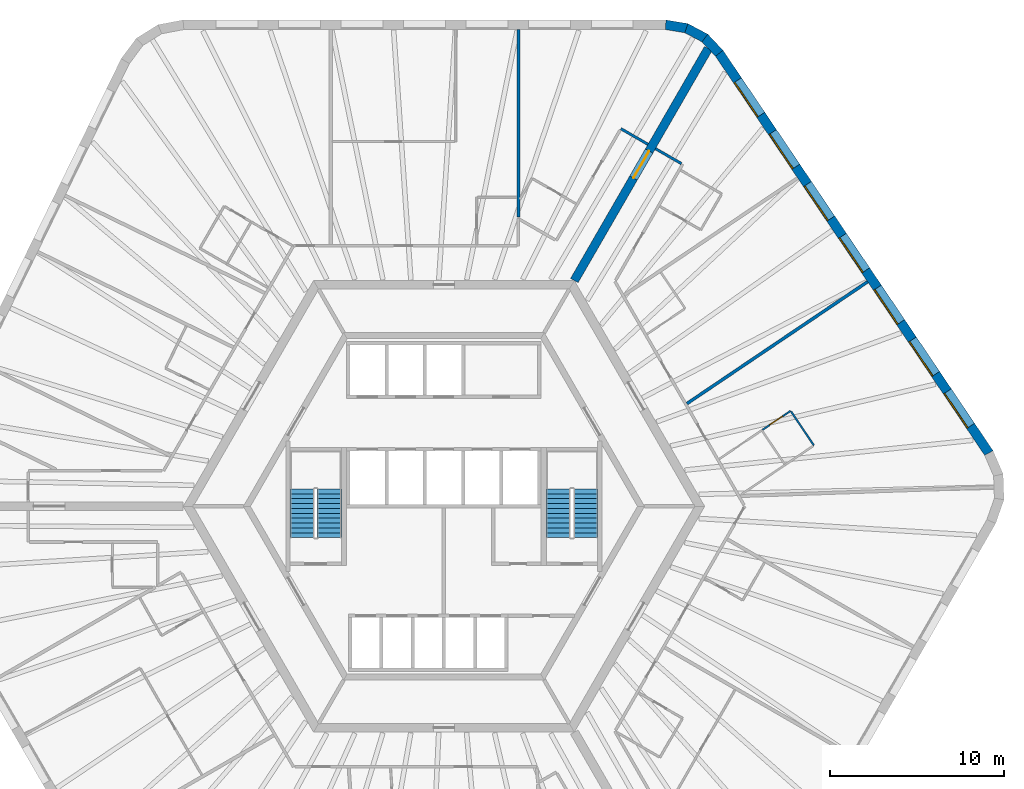
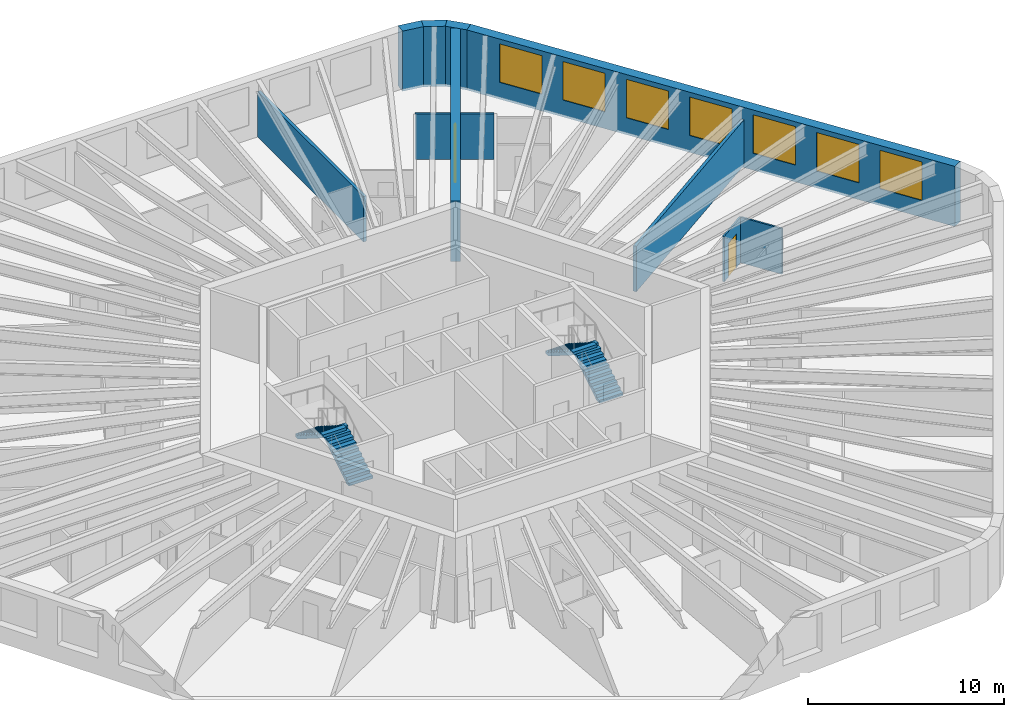
# One storey, part 9 of 10: 11 walls, 7 windows, 4 stair flights, 2 doors, 9 openings, 2 elements without a shape of their own.
"""IFC4 building model written with IfcOpenShell, lengths in metres."""

from ifc_helpers import new_model, si_unit, direction, frame, frame_2d, origin, place, context, subcontext, project, spatial, polyline, rectangle, outline, extrude, material, layer, layer_set, type_object, element, fill, aggregate, save


model = new_model("IFC4")

# Units and contexts
model_context = context("Model", 3, precision=1e-05, world=origin(), true_north=direction((0.0, 1.0)))
body_context = subcontext(model_context, "Body", "Model", "MODEL_VIEW")
ifc_project = project(units=[si_unit("LENGTHUNIT", "METRE"), si_unit("AREAUNIT", "SQUARE_METRE"), si_unit("VOLUMEUNIT", "CUBIC_METRE"), si_unit("PLANEANGLEUNIT", "RADIAN"), si_unit("MASSUNIT", "GRAM", prefix="KILO")], contexts=[model_context])

# Site, building, storey
site_placement = place(None, origin())
site = spatial("IfcSite", under=ifc_project, at=site_placement, CompositionType="ELEMENT")
building_placement = place(site_placement, origin())
building = spatial("IfcBuilding", under=site, at=building_placement, Name="Tarnside Tower", CompositionType="ELEMENT")
storey_placement = place(building_placement, frame((0.0, 0.0, 246.300048828125)))
storey = spatial("IfcBuildingStorey", under=building, at=storey_placement, Name="L59", CompositionType="ELEMENT", Elevation=246.300048828125)

# Wall, opening, door
ifc_material_1 = material(Name="Concrete C70/85", Category="concrete")
ifc_layer_1 = layer(ifc_material_1, 0.5)
ifc_layer_set_1 = layer_set([ifc_layer_1], Name="Core wall Z2 500 C70/85")
wall_type_1 = type_object("IfcWallType", Name="Core wall Z2 500 C70/85", PredefinedType="SHEAR", material=ifc_layer_set_1)
wall_1_placement = place(storey_placement, frame((7.505615234375, 13.0, -0.150146484375), z_axis=(0.0, 0.0, 1.0), x_axis=(0.499988271576, 0.866032175087, 0.0)))
wall_1 = element("IfcWall", 1, at=wall_1_placement, inside=storey, type_object=wall_type_1, Name="L59 spine wall 1", PredefinedType="SHEAR", context=body_context, shape_type="SweptSolid", body=[
    extrude(rectangle(XDim=15.423583984375, YDim=0.5, at=frame_2d((7.7119140625, 0.0))), origin(), (0.0, 0.0, 1.0), 3.75),
])
opening_1_placement = place(wall_1_placement, frame((6.811767578125, 0.0, 0.14990234375)))
opening_1 = element("IfcOpeningElement", 2, at=opening_1_placement, cuts=wall_1, Name="Opening CD-SPN", PredefinedType="OPENING", context=body_context, shape_type="SweptSolid", body=[
    extrude(rectangle(XDim=1.800048828125, YDim=2.39990234375, at=frame_2d((0.89990234375, 1.199951171875))), frame((0.0, 0.260009765625, 0.0), z_axis=(0.0, -1.0, 0.0), x_axis=(1.0, 0.0, 0.0)), (0.0, 0.0, 1.0), 0.52001953125),
])
ifc_material_2 = material(Name="Steel fire door", Category="steel")
door_type_1 = type_object("IfcDoorType", Name="Spine passage double door FD60 1800x2400", OperationType="NOTDEFINED", PredefinedType="DOOR", material=ifc_material_2)
door_1_placement = place(opening_1_placement, origin())
door_1 = element("IfcDoor", 3, at=door_1_placement, inside=storey, type_object=door_type_1, Name="L59 spine passage door 1", OperationType="DOUBLE_DOOR_SINGLE_SWING", OverallHeight=2.39990234375, OverallWidth=1.800048828125, PredefinedType="DOOR", context=body_context, shape_type="SweptSolid", body=[
    extrude(rectangle(XDim=1.800048828125, YDim=2.39990234375, at=frame_2d((0.89990234375, 1.199951171875))), frame((0.0, 0.02490234375, 0.0), z_axis=(0.0, -1.0, 0.0), x_axis=(1.0, 0.0, 0.0)), (0.0, 0.0, 1.0), 0.050048828125),
])
fill(opening_1, door_1)

# Walls
ifc_material_3 = material(Name="Gypsum board partition on steel studs", Category="steel")
ifc_layer_2 = layer(ifc_material_3, 0.14990234375)
ifc_layer_set_2 = layer_set([ifc_layer_2], Name="Corridor wall 150 EI 60")
wall_type_2 = type_object("IfcWallType", Name="Corridor wall 150 EI 60", PredefinedType="PARTITIONING", material=ifc_layer_set_2)
wall_2_placement = place(storey_placement, frame((11.744873046875, 20.8427734375, 0.0), z_axis=(0.0, 0.0, 1.0), x_axis=(-0.865989075817, 0.500062916607, 0.0)))
element("IfcWall", 4, at=wall_2_placement, inside=storey, type_object=wall_type_2, Name="Corridor wall 19001", PredefinedType="PARTITIONING", context=body_context, shape_type="SweptSolid", body=[
    extrude(rectangle(XDim=1.800048828125, YDim=0.14990234375, at=frame_2d((0.89990234375, 0.0))), origin(), (0.0, 0.0, 1.0), 2.837646484375),
])
wall_3_placement = place(storey_placement, frame((13.671875, 19.73046875, 0.0), z_axis=(0.0, 0.0, 1.0), x_axis=(-0.866074815912, 0.499914405916, 0.0)))
element("IfcWall", 5, at=wall_3_placement, inside=storey, type_object=wall_type_2, Name="Corridor wall 19049", PredefinedType="PARTITIONING", context=body_context, shape_type="SweptSolid", body=[
    extrude(rectangle(XDim=1.724853515625, YDim=0.14990234375, at=frame_2d((0.8623046875, 0.0))), origin(), (0.0, 0.0, 1.0), 2.837646484375),
])
ifc_layer_3 = layer(ifc_material_3, 0.179931640625)
ifc_layer_set_3 = layer_set([ifc_layer_3], Name="Demising wall 180 EI 60")
wall_type_3 = type_object("IfcWallType", Name="Demising wall 180 EI 60", PredefinedType="PARTITIONING", material=ifc_layer_set_3)
wall_4_placement = place(storey_placement, frame((4.2822265625, 27.449951171875, 0.0), z_axis=(0.0, 0.0, 1.0), x_axis=(0.0, -1.0, 0.0)))
element("IfcWall", 6, at=wall_4_placement, inside=storey, type_object=wall_type_3, Name="Demising wall 19053", PredefinedType="PARTITIONING", context=body_context, shape_type="SweptSolid", body=[
    extrude(rectangle(XDim=10.800537109375, YDim=0.179931640625, at=frame_2d((5.400390625, 0.0))), origin(), (0.0, 0.0, 1.0), 2.837646484375),
])
wall_5_placement = place(storey_placement, frame((24.388671875, 12.9306640625, 0.0), z_axis=(0.0, 0.0, 1.0), x_axis=(-0.829040439793, -0.559188652593, 0.0)))
element("IfcWall", 7, at=wall_5_placement, inside=storey, type_object=wall_type_3, Name="Demising wall 19115", PredefinedType="PARTITIONING", context=body_context, shape_type="SweptSolid", body=[
    extrude(rectangle(XDim=12.542236328125, YDim=0.179931640625, at=frame_2d((6.27099609375, 0.0))), origin(), (0.0, 0.0, 1.0), 2.837646484375),
])

# Wall, opening, door
ifc_layer_4 = layer(ifc_material_3, 0.10009765625)
ifc_layer_set_4 = layer_set([ifc_layer_4], Name="Partition 100")
wall_type_4 = type_object("IfcWallType", Name="Partition 100", PredefinedType="PARTITIONING", material=ifc_layer_set_4)
wall_6_placement = place(storey_placement, frame((18.341064453125, 4.406982421875, 0.0), z_axis=(0.0, 0.0, 1.0), x_axis=(0.829014089772, 0.559227716552, 0.0)))
wall_6 = element("IfcWall", 8, at=wall_6_placement, inside=storey, type_object=wall_type_4, Name="Partition wall 19112", PredefinedType="PARTITIONING", context=body_context, shape_type="SweptSolid", body=[
    extrude(rectangle(XDim=1.9501953125, YDim=0.10009765625, at=frame_2d((0.97509765625, 0.0))), origin(), (0.0, 0.0, 1.0), 2.837646484375),
])
opening_2_placement = place(wall_6_placement, frame((0.5, 0.0, 0.0)))
opening_2 = element("IfcOpeningElement", 9, at=opening_2_placement, cuts=wall_6, Name="Opening D-I1", PredefinedType="OPENING", context=body_context, shape_type="SweptSolid", body=[
    extrude(rectangle(XDim=0.89990234375, YDim=2.10009765625, at=frame_2d((0.449951171875, 1.050048828125))), frame((0.0, 0.06005859375, 0.0), z_axis=(0.0, -1.0, 0.0), x_axis=(1.0, 0.0, 0.0)), (0.0, 0.0, 1.0), 0.1201171875),
])
ifc_material_4 = material(Name="Timber door leaf", Category="wood")
door_type_2 = type_object("IfcDoorType", Name="Internal door 900", OperationType="NOTDEFINED", PredefinedType="DOOR", material=ifc_material_4)
door_2_placement = place(opening_2_placement, origin())
door_2 = element("IfcDoor", 10, at=door_2_placement, inside=storey, type_object=door_type_2, Name="Internal door 19034", OperationType="SINGLE_SWING_RIGHT", OverallHeight=2.10009765625, OverallWidth=0.89990234375, PredefinedType="DOOR", context=body_context, shape_type="SweptSolid", body=[
    extrude(rectangle(XDim=0.89990234375, YDim=2.10009765625, at=frame_2d((0.449951171875, 1.050048828125))), frame((0.0, 0.02490234375, 0.0), z_axis=(0.0, -1.0, 0.0), x_axis=(1.0, 0.0, 0.0)), (0.0, 0.0, 1.0), 0.050048828125),
])
fill(opening_2, door_2)

# Wall
wall_7_placement = place(storey_placement, frame((19.985595703125, 5.4560546875, 0.0), z_axis=(0.0, 0.0, 1.0), x_axis=(0.559223037199, -0.829017246302, 0.0)))
element("IfcWall", 11, at=wall_7_placement, inside=storey, type_object=wall_type_4, Name="Partition wall 19113", PredefinedType="PARTITIONING", context=body_context, shape_type="SweptSolid", body=[
    extrude(rectangle(XDim=2.35009765625, YDim=0.10009765625, at=frame_2d((1.175048828125, 0.0))), origin(), (0.0, 0.0, 1.0), 2.837646484375),
])

# Wall, openings, windows
ifc_material_5 = material(Name="Facing brick", Category="masonry")
ifc_layer_5 = layer(ifc_material_5, 0.10205078125)
ifc_material_6 = material(Name="Concrete C60/75 precast", Category="concrete")
ifc_layer_6 = layer(ifc_material_6, 0.347900390625)
ifc_material_7 = material(Name="Mineral wool insulation")
ifc_layer_7 = layer(ifc_material_7, 0.10009765625)
ifc_layer_set_5 = layer_set([ifc_layer_5, ifc_layer_6, ifc_layer_7], Name="Tube wall 550 brick faced")
wall_type_5 = type_object("IfcWallType", Name="Tube wall 550 brick faced", PredefinedType="SOLIDWALL", material=ifc_layer_set_5)
wall_8_placement = place(storey_placement, frame((31.37109375, 3.070556640625, -0.150146484375), z_axis=(0.0, 0.0, 1.0), x_axis=(-0.559189891278, 0.829039604297, 0.0)))
wall_8 = element("IfcWall", 12, at=wall_8_placement, inside=storey, type_object=wall_type_5, Name="Tube wall L59 F6 flush 20", PredefinedType="SOLIDWALL", context=body_context, shape_type="SweptSolid", body=[
    extrude(outline(polyline([(-0.025634765625, -0.27490234375), (27.780517578125, -0.27490234375), (27.735595703125, 0.27490234375), (0.025634765625, 0.27490234375), (-0.025634765625, -0.27490234375)])), origin(), (0.0, 0.0, 1.0), 3.75),
])
opening_3_placement = place(wall_8_placement, frame((1.87890625, 0.0, 1.050048828125)))
opening_3 = element("IfcOpeningElement", 13, at=opening_3_placement, cuts=wall_8, Name="Opening WH", PredefinedType="OPENING", context=body_context, shape_type="SweptSolid", body=[
    extrude(rectangle(XDim=2.39990234375, YDim=2.39990234375, at=frame_2d((1.199951171875, 1.199951171875))), frame((0.0, 0.28515625, 0.0), z_axis=(0.0, -1.0, 0.0), x_axis=(1.0, 0.0, 0.0)), (0.0, 0.0, 1.0), 0.570068359375),
])
opening_4_placement = place(wall_8_placement, frame((5.47900390625, 0.0, 1.050048828125)))
opening_4 = element("IfcOpeningElement", 14, at=opening_4_placement, cuts=wall_8, Name="Opening WH", PredefinedType="OPENING", context=body_context, shape_type="SweptSolid", body=[
    extrude(rectangle(XDim=2.39990234375, YDim=2.39990234375, at=frame_2d((1.199951171875, 1.199951171875))), frame((0.0, 0.28515625, 0.0), z_axis=(0.0, -1.0, 0.0), x_axis=(1.0, 0.0, 0.0)), (0.0, 0.0, 1.0), 0.570068359375),
])
opening_5_placement = place(wall_8_placement, frame((9.078857421875, 0.0, 1.050048828125)))
opening_5 = element("IfcOpeningElement", 15, at=opening_5_placement, cuts=wall_8, Name="Opening WH", PredefinedType="OPENING", context=body_context, shape_type="SweptSolid", body=[
    extrude(rectangle(XDim=2.39990234375, YDim=2.39990234375, at=frame_2d((1.199951171875, 1.199951171875))), frame((0.0, 0.28515625, 0.0), z_axis=(0.0, -1.0, 0.0), x_axis=(1.0, 0.0, 0.0)), (0.0, 0.0, 1.0), 0.570068359375),
])
opening_6_placement = place(wall_8_placement, frame((12.678955078125, 0.0, 1.050048828125)))
opening_6 = element("IfcOpeningElement", 16, at=opening_6_placement, cuts=wall_8, Name="Opening WH", PredefinedType="OPENING", context=body_context, shape_type="SweptSolid", body=[
    extrude(rectangle(XDim=2.39990234375, YDim=2.39990234375, at=frame_2d((1.199951171875, 1.199951171875))), frame((0.0, 0.28515625, 0.0), z_axis=(0.0, -1.0, 0.0), x_axis=(1.0, 0.0, 0.0)), (0.0, 0.0, 1.0), 0.570068359375),
])
opening_7_placement = place(wall_8_placement, frame((16.27880859375, 0.0, 1.050048828125)))
opening_7 = element("IfcOpeningElement", 17, at=opening_7_placement, cuts=wall_8, Name="Opening WH", PredefinedType="OPENING", context=body_context, shape_type="SweptSolid", body=[
    extrude(rectangle(XDim=2.39990234375, YDim=2.39990234375, at=frame_2d((1.199951171875, 1.199951171875))), frame((0.0, 0.28515625, 0.0), z_axis=(0.0, -1.0, 0.0), x_axis=(1.0, 0.0, 0.0)), (0.0, 0.0, 1.0), 0.570068359375),
])
opening_8_placement = place(wall_8_placement, frame((19.87890625, 0.0, 1.050048828125)))
opening_8 = element("IfcOpeningElement", 18, at=opening_8_placement, cuts=wall_8, Name="Opening WH", PredefinedType="OPENING", context=body_context, shape_type="SweptSolid", body=[
    extrude(rectangle(XDim=2.39990234375, YDim=2.39990234375, at=frame_2d((1.199951171875, 1.199951171875))), frame((0.0, 0.28515625, 0.0), z_axis=(0.0, -1.0, 0.0), x_axis=(1.0, 0.0, 0.0)), (0.0, 0.0, 1.0), 0.570068359375),
])
opening_9_placement = place(wall_8_placement, frame((23.47900390625, 0.0, 1.050048828125)))
opening_9 = element("IfcOpeningElement", 19, at=opening_9_placement, cuts=wall_8, Name="Opening WH", PredefinedType="OPENING", context=body_context, shape_type="SweptSolid", body=[
    extrude(rectangle(XDim=2.39990234375, YDim=2.39990234375, at=frame_2d((1.199951171875, 1.199951171875))), frame((0.0, 0.28515625, 0.0), z_axis=(0.0, -1.0, 0.0), x_axis=(1.0, 0.0, 0.0)), (0.0, 0.0, 1.0), 0.570068359375),
])
ifc_material_8 = material(Name="Aluminium-framed double glazing", Category="aluminium")
window_type = type_object("IfcWindowType", Name="Hotel window 2400 x 2400", PartitioningType="DOUBLE_PANEL_VERTICAL", PredefinedType="WINDOW", material=ifc_material_8)
window_1_placement = place(opening_3_placement, frame((0.0, 0.205078125, 0.0)))
window_1 = element("IfcWindow", 20, at=window_1_placement, inside=storey, type_object=window_type, Name="E.WN.L59.F6.00", OverallHeight=2.39990234375, OverallWidth=2.39990234375, PartitioningType="DOUBLE_PANEL_VERTICAL", PredefinedType="WINDOW", context=body_context, shape_type="SweptSolid", body=[
    extrude(rectangle(XDim=2.39990234375, YDim=2.39990234375, at=frame_2d((1.199951171875, 1.199951171875))), frame((0.0, 0.030029296875, 0.0), z_axis=(0.0, -1.0, 0.0), x_axis=(1.0, 0.0, 0.0)), (0.0, 0.0, 1.0), 0.06005859375),
])
fill(opening_3, window_1)
window_2_placement = place(opening_4_placement, frame((0.0, 0.205078125, 0.0)))
window_2 = element("IfcWindow", 21, at=window_2_placement, inside=storey, type_object=window_type, Name="E.WN.L59.F6.01", OverallHeight=2.39990234375, OverallWidth=2.39990234375, PartitioningType="DOUBLE_PANEL_VERTICAL", PredefinedType="WINDOW", context=body_context, shape_type="SweptSolid", body=[
    extrude(rectangle(XDim=2.39990234375, YDim=2.39990234375, at=frame_2d((1.199951171875, 1.199951171875))), frame((0.0, 0.030029296875, 0.0), z_axis=(0.0, -1.0, 0.0), x_axis=(1.0, 0.0, 0.0)), (0.0, 0.0, 1.0), 0.06005859375),
])
fill(opening_4, window_2)
window_3_placement = place(opening_5_placement, frame((0.0, 0.205078125, 0.0)))
window_3 = element("IfcWindow", 22, at=window_3_placement, inside=storey, type_object=window_type, Name="E.WN.L59.F6.02", OverallHeight=2.39990234375, OverallWidth=2.39990234375, PartitioningType="DOUBLE_PANEL_VERTICAL", PredefinedType="WINDOW", context=body_context, shape_type="SweptSolid", body=[
    extrude(rectangle(XDim=2.39990234375, YDim=2.39990234375, at=frame_2d((1.199951171875, 1.199951171875))), frame((0.0, 0.030029296875, 0.0), z_axis=(0.0, -1.0, 0.0), x_axis=(1.0, 0.0, 0.0)), (0.0, 0.0, 1.0), 0.06005859375),
])
fill(opening_5, window_3)
window_4_placement = place(opening_6_placement, frame((0.0, 0.205078125, 0.0)))
window_4 = element("IfcWindow", 23, at=window_4_placement, inside=storey, type_object=window_type, Name="E.WN.L59.F6.03", OverallHeight=2.39990234375, OverallWidth=2.39990234375, PartitioningType="DOUBLE_PANEL_VERTICAL", PredefinedType="WINDOW", context=body_context, shape_type="SweptSolid", body=[
    extrude(rectangle(XDim=2.39990234375, YDim=2.39990234375, at=frame_2d((1.199951171875, 1.199951171875))), frame((0.0, 0.030029296875, 0.0), z_axis=(0.0, -1.0, 0.0), x_axis=(1.0, 0.0, 0.0)), (0.0, 0.0, 1.0), 0.06005859375),
])
fill(opening_6, window_4)
window_5_placement = place(opening_7_placement, frame((0.0, 0.205078125, 0.0)))
window_5 = element("IfcWindow", 24, at=window_5_placement, inside=storey, type_object=window_type, Name="E.WN.L59.F6.04", OverallHeight=2.39990234375, OverallWidth=2.39990234375, PartitioningType="DOUBLE_PANEL_VERTICAL", PredefinedType="WINDOW", context=body_context, shape_type="SweptSolid", body=[
    extrude(rectangle(XDim=2.39990234375, YDim=2.39990234375, at=frame_2d((1.199951171875, 1.199951171875))), frame((0.0, 0.030029296875, 0.0), z_axis=(0.0, -1.0, 0.0), x_axis=(1.0, 0.0, 0.0)), (0.0, 0.0, 1.0), 0.06005859375),
])
fill(opening_7, window_5)
window_6_placement = place(opening_8_placement, frame((0.0, 0.205078125, 0.0)))
window_6 = element("IfcWindow", 25, at=window_6_placement, inside=storey, type_object=window_type, Name="E.WN.L59.F6.05", OverallHeight=2.39990234375, OverallWidth=2.39990234375, PartitioningType="DOUBLE_PANEL_VERTICAL", PredefinedType="WINDOW", context=body_context, shape_type="SweptSolid", body=[
    extrude(rectangle(XDim=2.39990234375, YDim=2.39990234375, at=frame_2d((1.199951171875, 1.199951171875))), frame((0.0, 0.030029296875, 0.0), z_axis=(0.0, -1.0, 0.0), x_axis=(1.0, 0.0, 0.0)), (0.0, 0.0, 1.0), 0.06005859375),
])
fill(opening_8, window_6)
window_7_placement = place(opening_9_placement, frame((0.0, 0.205078125, 0.0)))
window_7 = element("IfcWindow", 26, at=window_7_placement, inside=storey, type_object=window_type, Name="E.WN.L59.F6.06", OverallHeight=2.39990234375, OverallWidth=2.39990234375, PartitioningType="DOUBLE_PANEL_VERTICAL", PredefinedType="WINDOW", context=body_context, shape_type="SweptSolid", body=[
    extrude(rectangle(XDim=2.39990234375, YDim=2.39990234375, at=frame_2d((1.199951171875, 1.199951171875))), frame((0.0, 0.030029296875, 0.0), z_axis=(0.0, -1.0, 0.0), x_axis=(1.0, 0.0, 0.0)), (0.0, 0.0, 1.0), 0.06005859375),
])
fill(opening_9, window_7)

# Walls
wall_9_placement = place(storey_placement, frame((15.84912109375, 26.0830078125, -0.150146484375), z_axis=(0.0, 0.0, 1.0), x_axis=(-0.686196220404, 0.727416488061, 0.0)))
element("IfcWall", 27, at=wall_9_placement, inside=storey, type_object=wall_type_5, Name="Tube wall L59 F6 chord 21", PredefinedType="SOLIDWALL", context=body_context, shape_type="SweptSolid", body=[
    extrude(outline(polyline([(-0.0224609375, -0.27490234375), (1.25341796875, -0.27490234375), (1.1630859375, 0.27490234375), (0.0224609375, 0.27490234375), (-0.0224609375, -0.27490234375)])), origin(), (0.0, 0.0, 1.0), 3.75),
])
wall_10_placement = place(storey_placement, frame((15.02001953125, 26.9619140625, -0.150146484375), z_axis=(0.0, 0.0, 1.0), x_axis=(-0.882950818639, 0.469465495926, 0.0)))
element("IfcWall", 28, at=wall_10_placement, inside=storey, type_object=wall_type_5, Name="Tube wall L59 F6 chord 22", PredefinedType="SOLIDWALL", context=body_context, shape_type="SweptSolid", body=[
    extrude(outline(polyline([(-0.045166015625, -0.27490234375), (1.253173828125, -0.27490234375), (1.162841796875, 0.27490234375), (0.045166015625, 0.27490234375), (-0.045166015625, -0.27490234375)])), origin(), (0.0, 0.0, 1.0), 3.75),
])
wall_11_placement = place(storey_placement, frame((13.953369140625, 27.529052734375, -0.150146484375), z_axis=(0.0, 0.0, 1.0), x_axis=(-0.986751945211, 0.162236243244, 0.0)))
element("IfcWall", 29, at=wall_11_placement, inside=storey, type_object=wall_type_5, Name="Tube wall L59 F6 chord 23", PredefinedType="SOLIDWALL", context=body_context, shape_type="SweptSolid", body=[
    extrude(outline(polyline([(-0.045166015625, -0.27490234375), (1.23095703125, -0.27490234375), (1.18603515625, 0.27490234375), (0.045166015625, 0.27490234375), (-0.045166015625, -0.27490234375)])), origin(), (0.0, 0.0, 1.0), 3.75),
])

# Stair, stair flights
ifc_material_9 = material(Name="Concrete C40/50", Category="concrete")
stair_type = type_object("IfcStairType", Name="Exit stair 1400 clear", PredefinedType="HALF_TURN_STAIR", material=ifc_material_9)
stair_1_placement = place(storey_placement, origin())
stair_1 = element("IfcStair", 30, at=stair_1_placement, inside=storey, type_object=stair_type, Name="L59 Exit stair 1", PredefinedType="HALF_TURN_STAIR")
stair_flight_type = type_object("IfcStairFlightType", Name="Exit stair flight 1400", PredefinedType="STRAIGHT", material=ifc_material_9)
stair_flight_1_placement = place(storey_placement, frame((8.14990234375, -1.800048828125, 0.0), z_axis=(0.0, 0.0, 1.0), x_axis=(0.0, 1.0, 0.0)))
stair_flight_1 = element("IfcStairFlight", 31, at=stair_flight_1_placement, type_object=stair_flight_type, Name="ST1 flight 1", NumberOfRisers=11, NumberOfTreads=10, PredefinedType="STRAIGHT", RiserHeight=0.177272727, TreadLength=0.28, context=body_context, shape_type="SweptSolid", body=[
    extrude(outline(polyline([(0.0, 0.0), (0.0, 0.17724609375), (0.280029296875, 0.17724609375), (0.280029296875, 0.3544921875), (0.56005859375, 0.3544921875), (0.56005859375, 0.53173828125), (0.840087890625, 0.53173828125), (0.840087890625, 0.708984375), (1.1201171875, 0.708984375), (1.1201171875, 0.886474609375), (1.39990234375, 0.886474609375), (1.39990234375, 1.063720703125), (1.679931640625, 1.063720703125), (1.679931640625, 1.240966796875), (1.9599609375, 1.240966796875), (1.9599609375, 1.418212890625), (2.239990234375, 1.418212890625), (2.239990234375, 1.595458984375), (2.52001953125, 1.595458984375), (2.52001953125, 1.772705078125), (2.800048828125, 1.772705078125), (2.800048828125, 1.949951171875), (2.800048828125, 1.59521484375), (0.2802734375, 0.0), (0.0, 0.0)])), frame((0.0, 0.699951171875, 0.0), z_axis=(0.0, -1.0, 0.0), x_axis=(1.0, 0.0, 0.0)), (0.0, 0.0, 1.0), 1.39990234375),
])
stair_flight_2_placement = place(storey_placement, frame((6.60009765625, 1.0, 1.949951171875), z_axis=(0.0, 0.0, 1.0), x_axis=(0.0, -1.0, 0.0)))
stair_flight_2 = element("IfcStairFlight", 32, at=stair_flight_2_placement, type_object=stair_flight_type, Name="ST1 flight 2", NumberOfRisers=11, NumberOfTreads=10, PredefinedType="STRAIGHT", RiserHeight=0.177272727, TreadLength=0.28, context=body_context, shape_type="SweptSolid", body=[
    extrude(outline(polyline([(0.0, 0.0), (0.0, 0.17724609375), (0.280029296875, 0.17724609375), (0.280029296875, 0.3544921875), (0.56005859375, 0.3544921875), (0.56005859375, 0.53173828125), (0.840087890625, 0.53173828125), (0.840087890625, 0.708984375), (1.1201171875, 0.708984375), (1.1201171875, 0.886474609375), (1.39990234375, 0.886474609375), (1.39990234375, 1.063720703125), (1.679931640625, 1.063720703125), (1.679931640625, 1.240966796875), (1.9599609375, 1.240966796875), (1.9599609375, 1.418212890625), (2.239990234375, 1.418212890625), (2.239990234375, 1.595458984375), (2.52001953125, 1.595458984375), (2.52001953125, 1.772705078125), (2.800048828125, 1.772705078125), (2.800048828125, 1.949951171875), (2.800048828125, 1.59521484375), (0.2802734375, 0.0), (0.0, 0.0)])), frame((0.0, 0.699951171875, 0.0), z_axis=(0.0, -1.0, 0.0), x_axis=(1.0, 0.0, 0.0)), (0.0, 0.0, 1.0), 1.39990234375),
])
aggregate(stair_1, [stair_flight_1, stair_flight_2])

stair_2_placement = place(storey_placement, origin())
stair_2 = element("IfcStair", 33, at=stair_2_placement, inside=storey, type_object=stair_type, Name="L59 Exit stair 2", PredefinedType="HALF_TURN_STAIR")
stair_flight_3_placement = place(storey_placement, frame((-6.60009765625, -1.800048828125, 0.0), z_axis=(0.0, 0.0, 1.0), x_axis=(0.0, 1.0, 0.0)))
stair_flight_3 = element("IfcStairFlight", 34, at=stair_flight_3_placement, type_object=stair_flight_type, Name="ST2 flight 1", NumberOfRisers=11, NumberOfTreads=10, PredefinedType="STRAIGHT", RiserHeight=0.177272727, TreadLength=0.28, context=body_context, shape_type="SweptSolid", body=[
    extrude(outline(polyline([(0.0, 0.0), (0.0, 0.17724609375), (0.280029296875, 0.17724609375), (0.280029296875, 0.3544921875), (0.56005859375, 0.3544921875), (0.56005859375, 0.53173828125), (0.840087890625, 0.53173828125), (0.840087890625, 0.708984375), (1.1201171875, 0.708984375), (1.1201171875, 0.886474609375), (1.39990234375, 0.886474609375), (1.39990234375, 1.063720703125), (1.679931640625, 1.063720703125), (1.679931640625, 1.240966796875), (1.9599609375, 1.240966796875), (1.9599609375, 1.418212890625), (2.239990234375, 1.418212890625), (2.239990234375, 1.595458984375), (2.52001953125, 1.595458984375), (2.52001953125, 1.772705078125), (2.800048828125, 1.772705078125), (2.800048828125, 1.949951171875), (2.800048828125, 1.59521484375), (0.2802734375, 0.0), (0.0, 0.0)])), frame((0.0, 0.699951171875, 0.0), z_axis=(0.0, -1.0, 0.0), x_axis=(1.0, 0.0, 0.0)), (0.0, 0.0, 1.0), 1.39990234375),
])
stair_flight_4_placement = place(storey_placement, frame((-8.14990234375, 1.0, 1.949951171875), z_axis=(0.0, 0.0, 1.0), x_axis=(0.0, -1.0, 0.0)))
stair_flight_4 = element("IfcStairFlight", 35, at=stair_flight_4_placement, type_object=stair_flight_type, Name="ST2 flight 2", NumberOfRisers=11, NumberOfTreads=10, PredefinedType="STRAIGHT", RiserHeight=0.177272727, TreadLength=0.28, context=body_context, shape_type="SweptSolid", body=[
    extrude(outline(polyline([(0.0, 0.0), (0.0, 0.17724609375), (0.280029296875, 0.17724609375), (0.280029296875, 0.3544921875), (0.56005859375, 0.3544921875), (0.56005859375, 0.53173828125), (0.840087890625, 0.53173828125), (0.840087890625, 0.708984375), (1.1201171875, 0.708984375), (1.1201171875, 0.886474609375), (1.39990234375, 0.886474609375), (1.39990234375, 1.063720703125), (1.679931640625, 1.063720703125), (1.679931640625, 1.240966796875), (1.9599609375, 1.240966796875), (1.9599609375, 1.418212890625), (2.239990234375, 1.418212890625), (2.239990234375, 1.595458984375), (2.52001953125, 1.595458984375), (2.52001953125, 1.772705078125), (2.800048828125, 1.772705078125), (2.800048828125, 1.949951171875), (2.800048828125, 1.59521484375), (0.2802734375, 0.0), (0.0, 0.0)])), frame((0.0, 0.699951171875, 0.0), z_axis=(0.0, -1.0, 0.0), x_axis=(1.0, 0.0, 0.0)), (0.0, 0.0, 1.0), 1.39990234375),
])
aggregate(stair_2, [stair_flight_3, stair_flight_4])

save(model, "model.ifc")
